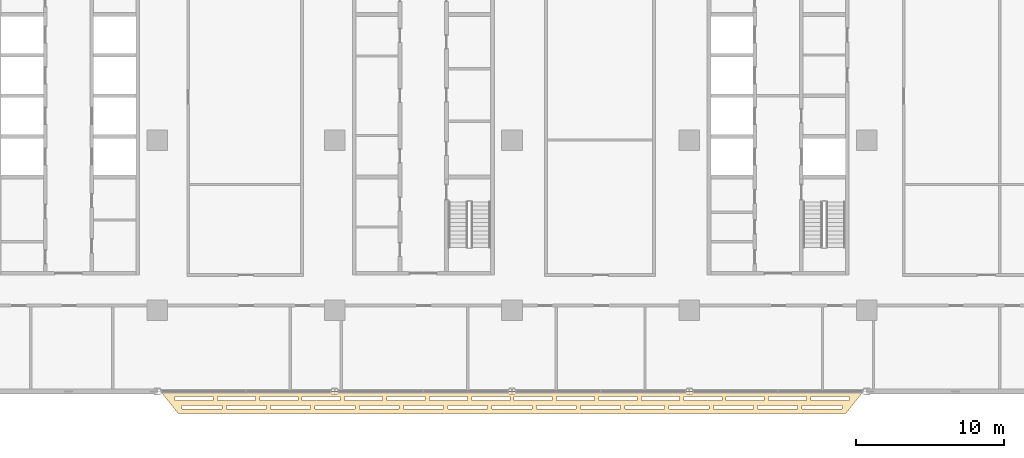
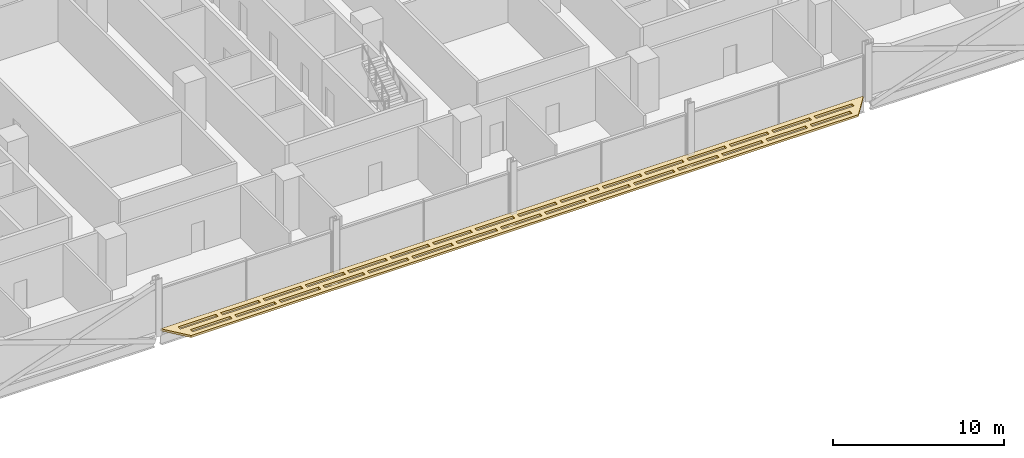
# One storey, part 25 of 29: 1 covering.
"""IFC4 building model written with IfcOpenShell, lengths in metres."""

from ifc_helpers import new_model, si_unit, direction, frame, origin, place, context, subcontext, project, spatial, polyline, outline, extrude, material, layer, layer_set, type_object, element, save


model = new_model("IFC4")

# Units and contexts
model_context = context("Model", 3, precision=1e-05, world=origin(), true_north=direction((0.0, 1.0)))
body_context = subcontext(model_context, "Body", "Model", "MODEL_VIEW")
ifc_project = project(units=[si_unit("LENGTHUNIT", "METRE"), si_unit("AREAUNIT", "SQUARE_METRE"), si_unit("VOLUMEUNIT", "CUBIC_METRE"), si_unit("PLANEANGLEUNIT", "RADIAN"), si_unit("MASSUNIT", "GRAM", prefix="KILO")], contexts=[model_context])

# Site, building, storey
site_placement = place(None, origin())
site = spatial("IfcSite", under=ifc_project, at=site_placement, CompositionType="ELEMENT")
building_placement = place(site_placement, origin())
building = spatial("IfcBuilding", under=site, at=building_placement, Name="Mahtab Terrace Research Tower", CompositionType="ELEMENT")
storey_placement = place(building_placement, frame((0.0, 0.0, 88.89990234375)))
storey = spatial("IfcBuildingStorey", under=building, at=storey_placement, Name="L20", CompositionType="ELEMENT", Elevation=88.89990234375)

# Covering
ifc_material = material(Name="Black anodised aluminium", Category="aluminium")
ifc_layer = layer(ifc_material, 0.14990234375)
ifc_layer_set = layer_set([ifc_layer], Name="Horizontal sunshade band")
covering_type = type_object("IfcCoveringType", Name="Horizontal sunshade band", PredefinedType="CLADDING", material=ifc_layer_set)
covering_placement = place(storey_placement, frame((0.0, 0.0, -0.14990234375)))
element("IfcCovering", 1, at=covering_placement, inside=storey, type_object=covering_type, Name="Sunshade band L20 25", PredefinedType="CLADDING", context=body_context, shape_type="SweptSolid", body=[
    extrude(outline(polyline([(-17.77197265625, -17.0), (29.77197265625, -17.0), (28.572021484375, -18.5), (-16.572021484375, -18.5), (-17.77197265625, -17.0)]), holes=[polyline([(-16.7919921875, -17.35009765625), (-14.22412109375, -17.35009765625), (-14.22412109375, -17.60009765625), (-16.7919921875, -17.60009765625), (-16.7919921875, -17.35009765625)]), polyline([(-13.924072265625, -17.35009765625), (-11.35693359375, -17.35009765625), (-11.35693359375, -17.60009765625), (-13.924072265625, -17.60009765625), (-13.924072265625, -17.35009765625)]), polyline([(-11.055908203125, -17.35009765625), (-8.489013671875, -17.35009765625), (-8.489013671875, -17.60009765625), (-11.055908203125, -17.60009765625), (-11.055908203125, -17.35009765625)]), polyline([(-8.18896484375, -17.35009765625), (-5.62109375, -17.35009765625), (-5.62109375, -17.60009765625), (-8.18896484375, -17.60009765625), (-8.18896484375, -17.35009765625)]), polyline([(-5.321044921875, -17.35009765625), (-2.7529296875, -17.35009765625), (-2.7529296875, -17.60009765625), (-5.321044921875, -17.60009765625), (-5.321044921875, -17.35009765625)]), polyline([(-2.452880859375, -17.35009765625), (0.114013671875, -17.35009765625), (0.114013671875, -17.60009765625), (-2.452880859375, -17.60009765625), (-2.452880859375, -17.35009765625)]), polyline([(0.4140625, -17.35009765625), (2.98193359375, -17.35009765625), (2.98193359375, -17.60009765625), (0.4140625, -17.60009765625), (0.4140625, -17.35009765625)]), polyline([(3.281982421875, -17.35009765625), (5.85009765625, -17.35009765625), (5.85009765625, -17.60009765625), (3.281982421875, -17.60009765625), (3.281982421875, -17.35009765625)]), polyline([(6.14990234375, -17.35009765625), (8.718017578125, -17.35009765625), (8.718017578125, -17.60009765625), (6.14990234375, -17.60009765625), (6.14990234375, -17.35009765625)]), polyline([(9.01806640625, -17.35009765625), (11.5849609375, -17.35009765625), (11.5849609375, -17.60009765625), (9.01806640625, -17.60009765625), (9.01806640625, -17.35009765625)]), polyline([(11.885009765625, -17.35009765625), (14.452880859375, -17.35009765625), (14.452880859375, -17.60009765625), (11.885009765625, -17.60009765625), (11.885009765625, -17.35009765625)]), polyline([(14.7529296875, -17.35009765625), (17.321044921875, -17.35009765625), (17.321044921875, -17.60009765625), (14.7529296875, -17.60009765625), (14.7529296875, -17.35009765625)]), polyline([(17.62109375, -17.35009765625), (20.18896484375, -17.35009765625), (20.18896484375, -17.60009765625), (17.62109375, -17.60009765625), (17.62109375, -17.35009765625)]), polyline([(20.489013671875, -17.35009765625), (23.055908203125, -17.35009765625), (23.055908203125, -17.60009765625), (20.489013671875, -17.60009765625), (20.489013671875, -17.35009765625)]), polyline([(23.35595703125, -17.35009765625), (25.924072265625, -17.35009765625), (25.924072265625, -17.60009765625), (23.35595703125, -17.60009765625), (23.35595703125, -17.35009765625)]), polyline([(26.22412109375, -17.35009765625), (28.7919921875, -17.35009765625), (28.7919921875, -17.60009765625), (26.22412109375, -17.60009765625), (26.22412109375, -17.35009765625)]), polyline([(-16.31201171875, -17.949951171875), (-13.616943359375, -17.949951171875), (-13.616943359375, -18.199951171875), (-16.31201171875, -18.199951171875), (-16.31201171875, -17.949951171875)]), polyline([(-13.31689453125, -17.949951171875), (-10.6220703125, -17.949951171875), (-10.6220703125, -18.199951171875), (-13.31689453125, -18.199951171875), (-13.31689453125, -17.949951171875)]), polyline([(-10.322021484375, -17.949951171875), (-7.626953125, -17.949951171875), (-7.626953125, -18.199951171875), (-10.322021484375, -18.199951171875), (-10.322021484375, -17.949951171875)]), polyline([(-7.326904296875, -17.949951171875), (-4.632080078125, -17.949951171875), (-4.632080078125, -18.199951171875), (-7.326904296875, -18.199951171875), (-7.326904296875, -17.949951171875)]), polyline([(-4.33203125, -17.949951171875), (-1.636962890625, -17.949951171875), (-1.636962890625, -18.199951171875), (-4.33203125, -18.199951171875), (-4.33203125, -17.949951171875)]), polyline([(-1.3369140625, -17.949951171875), (1.35791015625, -17.949951171875), (1.35791015625, -18.199951171875), (-1.3369140625, -18.199951171875), (-1.3369140625, -17.949951171875)]), polyline([(1.657958984375, -17.949951171875), (4.35302734375, -17.949951171875), (4.35302734375, -18.199951171875), (1.657958984375, -18.199951171875), (1.657958984375, -17.949951171875)]), polyline([(4.653076171875, -17.949951171875), (7.346923828125, -17.949951171875), (7.346923828125, -18.199951171875), (4.653076171875, -18.199951171875), (4.653076171875, -17.949951171875)]), polyline([(7.64697265625, -17.949951171875), (10.342041015625, -17.949951171875), (10.342041015625, -18.199951171875), (7.64697265625, -18.199951171875), (7.64697265625, -17.949951171875)]), polyline([(10.64208984375, -17.949951171875), (13.3369140625, -17.949951171875), (13.3369140625, -18.199951171875), (10.64208984375, -18.199951171875), (10.64208984375, -17.949951171875)]), polyline([(13.636962890625, -17.949951171875), (16.33203125, -17.949951171875), (16.33203125, -18.199951171875), (13.636962890625, -18.199951171875), (13.636962890625, -17.949951171875)]), polyline([(16.632080078125, -17.949951171875), (19.326904296875, -17.949951171875), (19.326904296875, -18.199951171875), (16.632080078125, -18.199951171875), (16.632080078125, -17.949951171875)]), polyline([(19.626953125, -17.949951171875), (22.322021484375, -17.949951171875), (22.322021484375, -18.199951171875), (19.626953125, -18.199951171875), (19.626953125, -17.949951171875)]), polyline([(22.6220703125, -17.949951171875), (25.31689453125, -17.949951171875), (25.31689453125, -18.199951171875), (22.6220703125, -18.199951171875), (22.6220703125, -17.949951171875)]), polyline([(25.616943359375, -17.949951171875), (28.31201171875, -17.949951171875), (28.31201171875, -18.199951171875), (25.616943359375, -18.199951171875), (25.616943359375, -17.949951171875)])]), origin(), (0.0, 0.0, 1.0), 0.14990234375),
])

save(model, "model.ifc")
